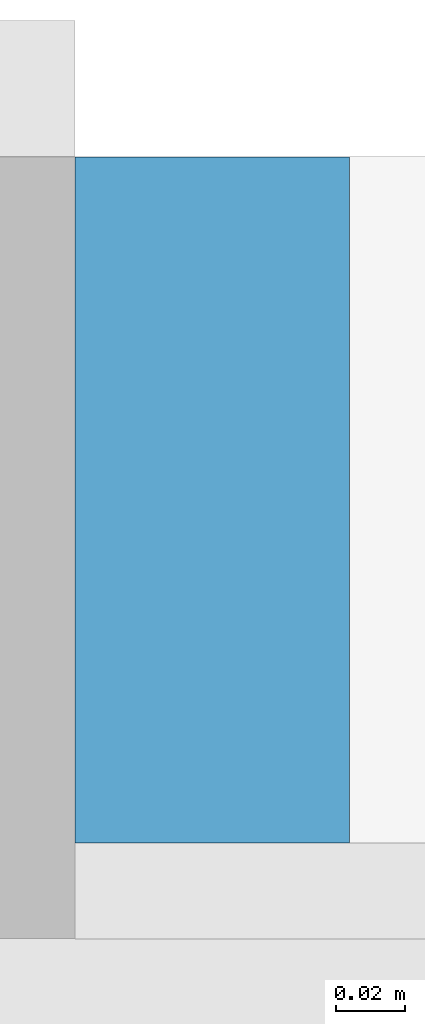
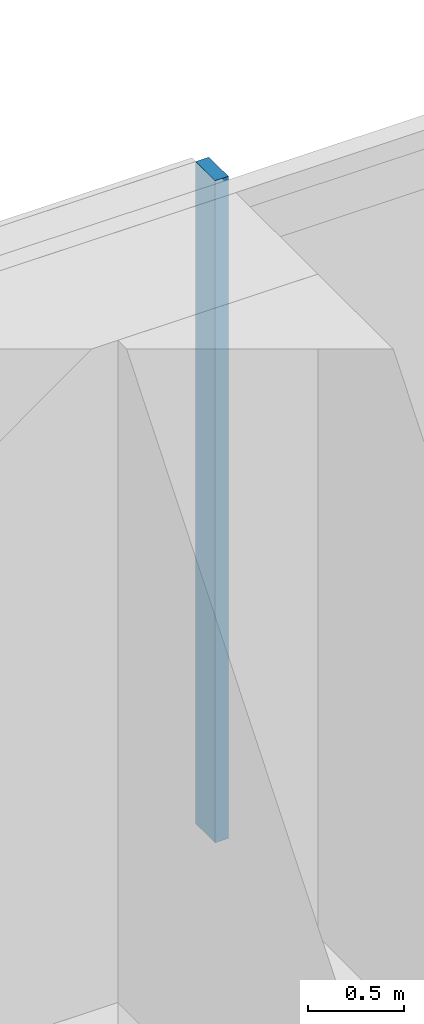
# One storey, part 8 of 24: 1 member, 1 element without a shape of its own.
"""IFC4 building model written with IfcOpenShell, lengths in metres."""

from ifc_helpers import new_model, si_unit, direction, frame, origin, origin_2d, place, context, subcontext, project, spatial, rectangle, extrude, material, material_profile, profile_set, type_object, element, aggregate, save


model = new_model("IFC4")

# Units and contexts
model_context = context("Model", 3, precision=1e-05, world=origin(), true_north=direction((0.0, 1.0)))
body_context = subcontext(model_context, "Body", "Model", "MODEL_VIEW")
ifc_project = project(units=[si_unit("LENGTHUNIT", "METRE"), si_unit("AREAUNIT", "SQUARE_METRE"), si_unit("VOLUMEUNIT", "CUBIC_METRE"), si_unit("PLANEANGLEUNIT", "RADIAN"), si_unit("MASSUNIT", "GRAM", prefix="KILO")], contexts=[model_context])

# Site, building, storey
site_placement = place(None, origin())
site = spatial("IfcSite", under=ifc_project, at=site_placement, CompositionType="ELEMENT")
building_placement = place(site_placement, origin())
building = spatial("IfcBuilding", under=site, at=building_placement, Name="Saffron Gate Tower", CompositionType="ELEMENT")
storey_placement = place(building_placement, frame((0.0, 0.0, 28.199951171875)))
storey = spatial("IfcBuildingStorey", under=building, at=storey_placement, Name="L05", CompositionType="ELEMENT", Elevation=28.199951171875)

# Curtain wall, member
ifc_material = material(Name="Aluminium, bronze anodised", Category="aluminium")
curtain_wall_type = type_object("IfcCurtainWallType", Name="CWS6 curtain wall tall storeys", PredefinedType="NOTDEFINED", material=ifc_material)
curtain_wall_placement = place(storey_placement, origin())
curtain_wall = element("IfcCurtainWall", 1, at=curtain_wall_placement, inside=storey, type_object=curtain_wall_type, Name="CWS6 run 7", PredefinedType="NOTDEFINED")
ifc_material_profile = material_profile(ifc_material, rectangle(XDim=0.199951171875, YDim=0.080078125, at=origin_2d()))
ifc_profile_set = profile_set([ifc_material_profile], Name="Aluminium, bronze anodised")
member_type = type_object("IfcMemberType", Name="CWS6 mullion 80x200", PredefinedType="MULLION", material=ifc_profile_set)
member_placement = place(storey_placement, frame((108.60009765625, 75.5, 0.0), z_axis=(0.0, 0.0, 1.0), x_axis=(0.0, -1.0, 0.0)))
member = element("IfcMember", 2, at=member_placement, type_object=member_type, Name="CWS6 mullion 3", PredefinedType="MULLION", context=body_context, shape_type="SweptSolid", body=[
    extrude(rectangle(XDim=0.199951171875, YDim=0.080078125, at=origin_2d()), origin(), (0.0, 0.0, 1.0), 4.199951171875),
])
aggregate(curtain_wall, [member])

save(model, "model.ifc")
